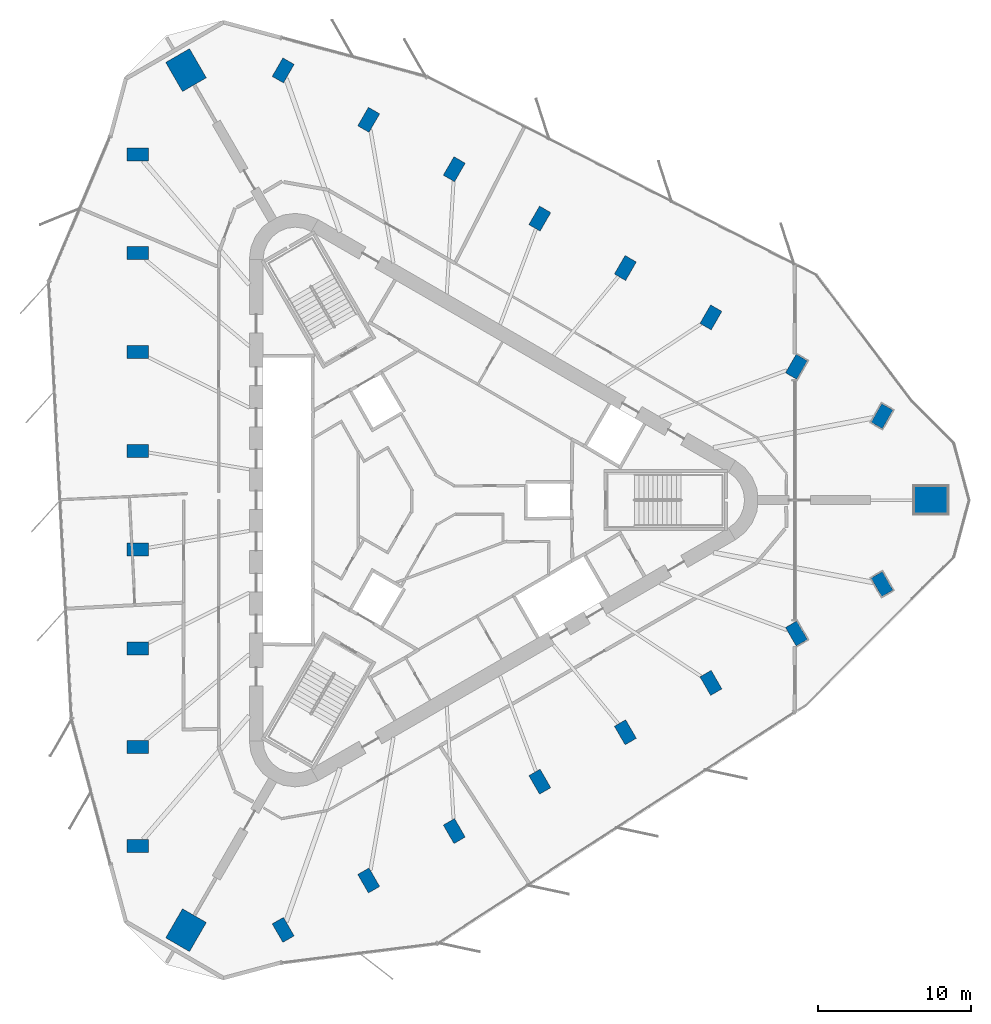
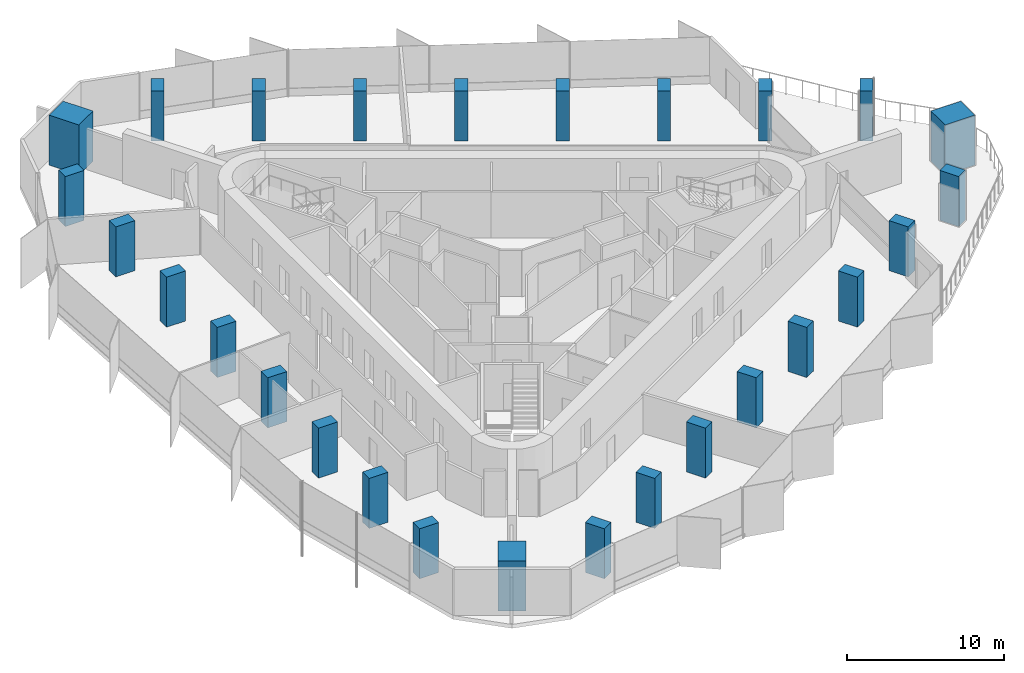
# One storey, part 1 of 12: 27 columns.
"""IFC4 building model written with IfcOpenShell, lengths in metres."""

import ifcopenshell
import ifcopenshell.guid

model = None  # the IFC model being written
_history = None  # IfcOwnerHistory: only IFC2X3 demands one
_inside = {}  # id of a spatial element -> (the spatial element, [elements in it])
_under = {}  # id of a project, library or spatial element -> (it, [spatial elements below it])
_declared = {}  # id of a project -> (the project, [libraries it declares])
_typed = {}  # id of a type object -> (the type object, [elements of that type])
_made_of = {}  # id of a material, layer set ... -> (it, [elements and type objects made of it])


def new_model(schema):
    """Start an empty IFC model of exactly this schema.

    Asked for "IFC4X3", IfcOpenShell would pick the latest addendum, in which some entities
    have other attributes; the version numbers below select the first issue.
    IFC2X3 requires an IfcOwnerHistory on every rooted entity: one is made here for all.
    """
    global model, _history
    if schema == "IFC4X3":
        model = ifcopenshell.file(schema_version=(4, 3, 0, 0))
    else:
        model = ifcopenshell.file(schema=schema)
    _inside.clear()
    _under.clear()
    _declared.clear()
    _typed.clear()
    _made_of.clear()
    _history = None
    if model.schema == "IFC2X3":
        org = make("IfcOrganization", Name="unknown")
        user = make(
            "IfcPersonAndOrganization",
            ThePerson=make("IfcPerson", FamilyName="unknown"),
            TheOrganization=org,
        )
        app = make(
            "IfcApplication",
            ApplicationDeveloper=org,
            Version="unknown",
            ApplicationFullName="unknown",
            ApplicationIdentifier="unknown",
        )
        _history = make(
            "IfcOwnerHistory",
            OwningUser=user,
            OwningApplication=app,
            ChangeAction="ADDED",
            CreationDate=0,
        )
    return model


def make(cls, **values):
    """One entity of the class cls with the attributes given. An attribute that is None is left unset."""
    return model.create_entity(
        cls, **{name: value for name, value in values.items() if value is not None}
    )


def rooted(cls, **values):
    """An entity with a GlobalId (a new one), such as an element, a storey or a relation."""
    return make(cls, GlobalId=ifcopenshell.guid.new(), OwnerHistory=_history, **values)


def si_unit(unit_type, name, prefix=None):
    """IfcSIUnit, for example si_unit("LENGTHUNIT", "METRE", prefix="MILLI")."""
    return make("IfcSIUnit", UnitType=unit_type, Prefix=prefix, Name=name)


def assignment(units):
    """IfcUnitAssignment: the units of a project."""
    return None if units is None else make("IfcUnitAssignment", Units=units)


def point(xyz):
    """IfcCartesianPoint."""
    return None if xyz is None else make("IfcCartesianPoint", Coordinates=xyz)


def direction(xyz):
    """IfcDirection."""
    return None if xyz is None else make("IfcDirection", DirectionRatios=xyz)


def frame(location, z_axis=None, x_axis=None):
    """IfcAxis2Placement3D, a coordinate frame: its origin and axes. An axis left out is left unset."""
    return make(
        "IfcAxis2Placement3D",
        Location=point(location),
        Axis=direction(z_axis),
        RefDirection=direction(x_axis),
    )


def frame_2d(location, x_axis=None):
    """IfcAxis2Placement2D, a coordinate frame in the plane: its origin and x axis."""
    return make(
        "IfcAxis2Placement2D", Location=point(location), RefDirection=direction(x_axis)
    )


def origin():
    """The frame at (0, 0, 0) with its axes left unset."""
    return frame((0.0, 0.0, 0.0))


def origin_2d():
    """The frame at (0, 0) in the plane with its x axis left unset."""
    return frame_2d((0.0, 0.0))


def place(relative_to, where):
    """IfcLocalPlacement: puts the frame where relative to a parent placement (None: the world)."""
    return make(
        "IfcLocalPlacement", PlacementRelTo=relative_to, RelativePlacement=where
    )


def context(
    kind, dimensions, precision=None, world=None, true_north=None, identifier=None
):
    """IfcGeometricRepresentationContext, for example the 3D "Model" context."""
    return make(
        "IfcGeometricRepresentationContext",
        ContextIdentifier=identifier,
        ContextType=kind,
        CoordinateSpaceDimension=dimensions,
        Precision=precision,
        WorldCoordinateSystem=world,
        TrueNorth=true_north,
    )


def subcontext(parent, identifier, kind, view, scale=None):
    """IfcGeometricRepresentationSubContext, for example "Body" below "Model"."""
    return make(
        "IfcGeometricRepresentationSubContext",
        ContextIdentifier=identifier,
        ContextType=kind,
        ParentContext=parent,
        TargetScale=scale,
        TargetView=view,
    )


def project(units=None, contexts=None):
    """IfcProject with its units and contexts."""
    return rooted(
        "IfcProject",
        Name="project",
        RepresentationContexts=contexts,
        UnitsInContext=assignment(units),
    )


def spatial(cls, under=None, at=None, **own):
    """A site, building, storey or space (cls), placed at a placement, below another one or the project."""
    s = rooted(cls, ObjectPlacement=at, **own)
    if under is not None:
        _under.setdefault(under.id(), (under, []))[1].append(s)
    return s


def profile(cls, at=None, kind="AREA", **sizes):
    """A parametric profile (cls). Its sizes go by their IFC names, for example OverallWidth=200.0."""
    return make(cls, ProfileType=kind, Position=at, **sizes)


def rectangle(**sizes):
    """IfcRectangleProfileDef."""
    return profile("IfcRectangleProfileDef", **sizes)


def extrude(swept, where, along, depth):
    """IfcExtrudedAreaSolid: the profile swept, set in the frame where, extruded along a direction by depth."""
    return make(
        "IfcExtrudedAreaSolid",
        SweptArea=swept,
        Position=where,
        ExtrudedDirection=direction(along),
        Depth=depth,
    )


def shape(context_of_items, identifier, shape_type, items):
    """IfcShapeRepresentation: the items that make up one representation, for example the "Body"."""
    return make(
        "IfcShapeRepresentation",
        ContextOfItems=context_of_items,
        RepresentationIdentifier=identifier,
        RepresentationType=shape_type,
        Items=items,
    )


def material(Name=None, Category=None):
    """IfcMaterial."""
    return make("IfcMaterial", Name=Name, Category=Category)


def material_profile(
    of_material, cross_section, Name=None, Category=None, Priority=None
):
    """IfcMaterialProfile: a cross section and its material."""
    return make(
        "IfcMaterialProfile",
        Name=Name,
        Material=of_material,
        Profile=cross_section,
        Priority=Priority,
        Category=Category,
    )


def profile_set(profiles, Name=None, composite=None):
    """IfcMaterialProfileSet."""
    return make(
        "IfcMaterialProfileSet",
        Name=Name,
        MaterialProfiles=profiles,
        CompositeProfile=composite,
    )


def made_of(thing, what):
    """Note that an element or type object is made of a material, layer set ...; save() writes the relation."""
    if what is not None:
        _made_of.setdefault(what.id(), (what, []))[1].append(thing)
    return thing


def type_object(cls, material=None, **own):
    """A type object (cls), such as IfcWallType, which elements share."""
    return made_of(rooted(cls, **own), material)


def element(
    cls,
    number,
    at=None,
    inside=None,
    cuts=None,
    type_object=None,
    material=None,
    context=None,
    identifier="Body",
    shape_type=None,
    held_by="IfcProductDefinitionShape",
    body=None,
    shapes=None,
    **own,
):
    """One element of the class cls, such as IfcWall. Its Tag is "e" and its number.

    at: its placement. inside: the storey or other place that contains it. cuts: it is an
    opening in that element (IfcRelVoidsElement). A single representation is given by context,
    identifier, shape_type and body (its items); several are given by shapes. held_by: the class
    of the entity that holds the representations. save() writes the other relations.
    """
    e = rooted(cls, Tag="e%d" % number, ObjectPlacement=at, **own)
    if body is not None:
        shapes = [shape(context, identifier, shape_type, body)]
    if shapes is not None:
        e.Representation = make(held_by, Representations=shapes)
    if inside is not None:
        _inside.setdefault(inside.id(), (inside, []))[1].append(e)
    if cuts is not None:
        rooted(
            "IfcRelVoidsElement", RelatingBuildingElement=cuts, RelatedOpeningElement=e
        )
    if type_object is not None:
        _typed.setdefault(type_object.id(), (type_object, []))[1].append(e)
    return made_of(e, material)


def aggregate(whole, parts):
    """IfcRelAggregates: a whole, such as a stair, and the parts it consists of."""
    return rooted("IfcRelAggregates", RelatingObject=whole, RelatedObjects=parts)


def save(model, path):
    """Write the relations noted so far, then the file.

    IfcRelAggregates (storeys below a building ...), IfcRelContainedInSpatialStructure (elements
    in a storey), IfcRelDefinesByType, IfcRelAssociatesMaterial and IfcRelDeclares: one each for
    every whole, place, type object, material and project.
    """
    for whole, parts in _under.values():
        aggregate(whole, parts)
    for where, things in _inside.values():
        rooted(
            "IfcRelContainedInSpatialStructure",
            RelatedElements=things,
            RelatingStructure=where,
        )
    for kind, things in _typed.values():
        rooted("IfcRelDefinesByType", RelatedObjects=things, RelatingType=kind)
    for what, things in _made_of.values():
        rooted("IfcRelAssociatesMaterial", RelatedObjects=things, RelatingMaterial=what)
    for by, libraries in _declared.values():
        rooted("IfcRelDeclares", RelatingContext=by, RelatedDefinitions=libraries)
    model.write(path)


model = new_model("IFC4")

# Units and contexts
model_context = context("Model", 3, precision=1e-05, world=origin(), true_north=direction((0.0, 1.0)))
body_context = subcontext(model_context, "Body", "Model", "MODEL_VIEW")
ifc_project = project(units=[si_unit("LENGTHUNIT", "METRE"), si_unit("AREAUNIT", "SQUARE_METRE"), si_unit("VOLUMEUNIT", "CUBIC_METRE"), si_unit("PLANEANGLEUNIT", "RADIAN"), si_unit("MASSUNIT", "GRAM", prefix="KILO")], contexts=[model_context])

# Site, building, storey
site_placement = place(None, origin())
site = spatial("IfcSite", under=ifc_project, at=site_placement, CompositionType="ELEMENT")
building_placement = place(site_placement, origin())
building = spatial("IfcBuilding", under=site, at=building_placement, Name="Tanit Gate Tower", CompositionType="ELEMENT")
storey_placement = place(building_placement, frame((0.0, 0.0, 361.10009765625)))
storey = spatial("IfcBuildingStorey", under=building, at=storey_placement, Name="L82", CompositionType="ELEMENT", Elevation=361.10009765625)

# Columns
ifc_material_1 = material(Name="Concrete C50/60", Category="concrete")
ifc_material_profile_1 = material_profile(ifc_material_1, rectangle(XDim=2.199951171875, YDim=1.800048828125, at=origin_2d()), Name="RC 2200x1800")
ifc_profile_set_1 = profile_set([ifc_material_profile_1], Name="Concrete C50/60")
column_type_1 = type_object("IfcColumnType", Name="MEGA COLUMN 2200x1800 C50/60", PredefinedType="COLUMN", material=ifc_profile_set_1)
for number, where, z_axis, x_axis, name in (
    (1, (32.491455078125, 0.0, 0.0), (0.0, 0.0, 1.0), (1.0, 0.0, 0.0), "MEGA COLUMN"),
    (2, (-16.24560546875, 28.138427734375, 0.0), (0.0, 0.0, 1.0), (-0.5, 0.866025403784, 0.0), "MEGA COLUMN"),
    (3, (-16.24560546875, -28.138427734375, 0.0), (0.0, 0.0, 1.0), (-0.5, -0.866025403784, 0.0), "MEGA COLUMN"),
):
    element("IfcColumn", number, at=place(storey_placement, frame(where, z_axis=z_axis, x_axis=x_axis)), inside=storey, type_object=column_type_1, Name=name, PredefinedType="COLUMN", context=body_context, shape_type="SweptSolid", body=[
        extrude(rectangle(XDim=2.199951171875, YDim=1.800048828125, at=origin_2d()), origin(), (0.0, 0.0, 1.0), 3.89990234375),
    ])
ifc_material_2 = material(Name="Concrete C40/50", Category="concrete")
ifc_material_profile_2 = material_profile(ifc_material_2, rectangle(XDim=1.39990234375, YDim=0.85009765625, at=origin_2d()), Name="RC 1400x850")
ifc_profile_set_2 = profile_set([ifc_material_profile_2], Name="Concrete C40/50")
column_type_2 = type_object("IfcColumnType", Name="PERIMETER COLUMN 1400x850 C40/50", PredefinedType="COLUMN", material=ifc_profile_set_2)
for number, where, z_axis, x_axis, name in (
    (4, (-19.40576171875, 22.62353515625, 0.0), (0.0, 0.0, 1.0), (-1.0, 0.0, 0.0), "PERIMETER COLUMN"),
    (5, (-19.40576171875, 16.15966796875, 0.0), (0.0, 0.0, 1.0), (-1.0, 0.0, 0.0), "PERIMETER COLUMN"),
    (6, (-19.40576171875, 9.69580078125, 0.0), (0.0, 0.0, 1.0), (-1.0, 0.0, 0.0), "PERIMETER COLUMN"),
    (7, (-19.40576171875, 3.23193359375, 0.0), (0.0, 0.0, 1.0), (-1.0, 0.0, 0.0), "PERIMETER COLUMN"),
    (8, (-19.40576171875, -3.23193359375, 0.0), (0.0, 0.0, 1.0), (-1.0, 0.0, 0.0), "PERIMETER COLUMN"),
    (9, (-19.40576171875, -9.69580078125, 0.0), (0.0, 0.0, 1.0), (-1.0, 0.0, 0.0), "PERIMETER COLUMN"),
    (10, (-19.40576171875, -16.15966796875, 0.0), (0.0, 0.0, 1.0), (-1.0, 0.0, 0.0), "PERIMETER COLUMN"),
    (11, (-19.40576171875, -22.62353515625, 0.0), (0.0, 0.0, 1.0), (-1.0, 0.0, 0.0), "PERIMETER COLUMN"),
    (12, (29.295654296875, 5.494140625, 0.0), (0.0, 0.0, 1.0), (0.5, 0.866025403784, 0.0), "PERIMETER COLUMN"),
    (13, (23.69775390625, 8.72607421875, 0.0), (0.0, 0.0, 1.0), (0.5, 0.866025403784, 0.0), "PERIMETER COLUMN"),
    (14, (18.099853515625, 11.9580078125, 0.0), (0.0, 0.0, 1.0), (0.5, 0.866025403784, 0.0), "PERIMETER COLUMN"),
    (15, (12.501953125, 15.18994140625, 0.0), (0.0, 0.0, 1.0), (0.5, 0.866025403784, 0.0), "PERIMETER COLUMN"),
    (16, (6.904052734375, 18.421875, 0.0), (0.0, 0.0, 1.0), (0.5, 0.866025403784, 0.0), "PERIMETER COLUMN"),
    (17, (1.30615234375, 21.65380859375, 0.0), (0.0, 0.0, 1.0), (0.5, 0.866025403784, 0.0), "PERIMETER COLUMN"),
    (18, (-4.291748046875, 24.8857421875, 0.0), (0.0, 0.0, 1.0), (0.5, 0.866025403784, 0.0), "PERIMETER COLUMN"),
    (19, (-9.8896484375, 28.117919921875, 0.0), (0.0, 0.0, 1.0), (0.5, 0.866025403784, 0.0), "PERIMETER COLUMN"),
    (20, (-9.8896484375, -28.117919921875, 0.0), (0.0, 0.0, 1.0), (0.5, -0.866025403784, 0.0), "PERIMETER COLUMN"),
    (21, (-4.291748046875, -24.8857421875, 0.0), (0.0, 0.0, 1.0), (0.5, -0.866025403784, 0.0), "PERIMETER COLUMN"),
    (22, (1.30615234375, -21.65380859375, 0.0), (0.0, 0.0, 1.0), (0.5, -0.866025403784, 0.0), "PERIMETER COLUMN"),
    (23, (6.904052734375, -18.421875, 0.0), (0.0, 0.0, 1.0), (0.5, -0.866025403784, 0.0), "PERIMETER COLUMN"),
    (24, (12.501953125, -15.18994140625, 0.0), (0.0, 0.0, 1.0), (0.5, -0.866025403784, 0.0), "PERIMETER COLUMN"),
    (25, (18.099853515625, -11.9580078125, 0.0), (0.0, 0.0, 1.0), (0.5, -0.866025403784, 0.0), "PERIMETER COLUMN"),
    (26, (23.69775390625, -8.72607421875, 0.0), (0.0, 0.0, 1.0), (0.5, -0.866025403784, 0.0), "PERIMETER COLUMN"),
    (27, (29.295654296875, -5.494140625, 0.0), (0.0, 0.0, 1.0), (0.5, -0.866025403784, 0.0), "PERIMETER COLUMN"),
):
    element("IfcColumn", number, at=place(storey_placement, frame(where, z_axis=z_axis, x_axis=x_axis)), inside=storey, type_object=column_type_2, Name=name, PredefinedType="COLUMN", context=body_context, shape_type="SweptSolid", body=[
        extrude(rectangle(XDim=1.39990234375, YDim=0.85009765625, at=origin_2d()), origin(), (0.0, 0.0, 1.0), 3.89990234375),
    ])

save(model, "model.ifc")
